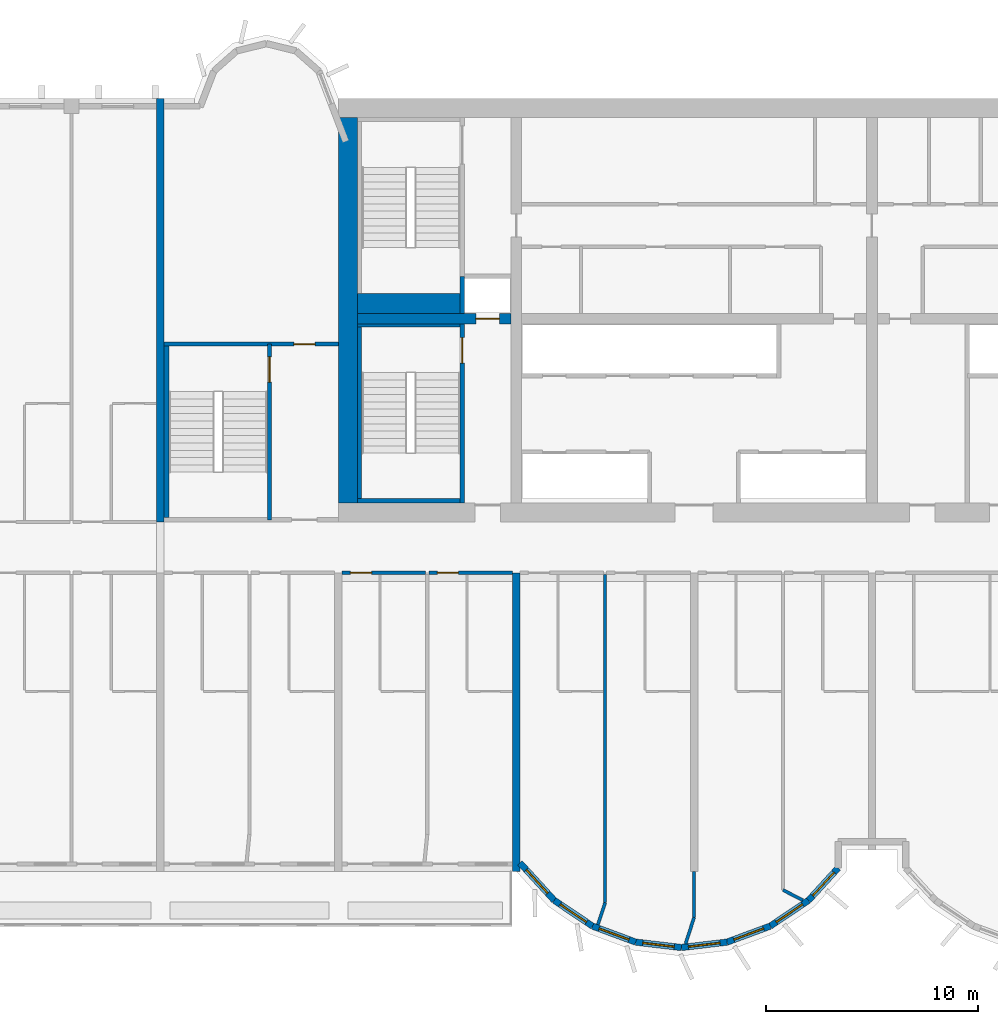
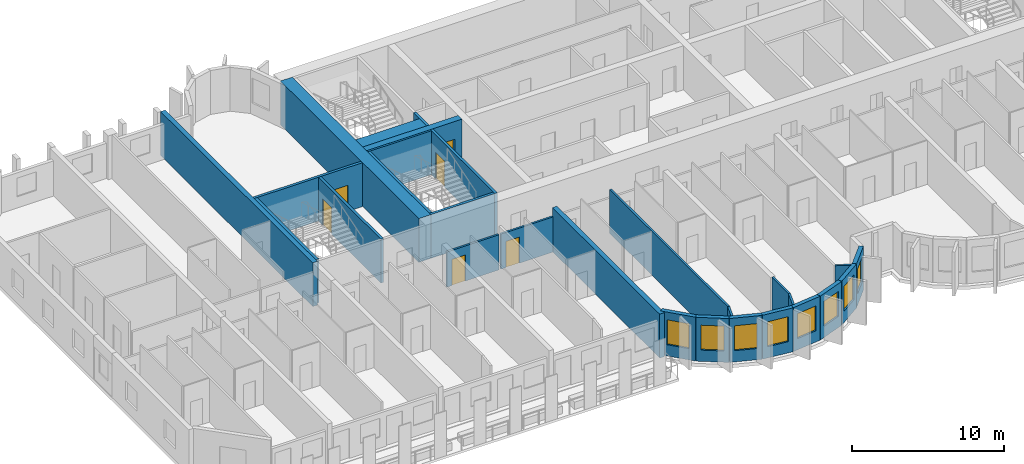
# One storey, part 4 of 15: 28 walls, 8 windows, 6 doors, 14 openings.
"""IFC4 building model written with IfcOpenShell, lengths in metres."""

from ifc_helpers import new_model, si_unit, direction, frame, frame_2d, origin, place, context, subcontext, project, spatial, rectangle, extrude, source, transform, mapped, material, layer, layer_set, type_object, element, fill, save


model = new_model("IFC4")

# Units and contexts
model_context = context("Model", 3, precision=1e-05, world=origin(), true_north=direction((0.0, 1.0)))
body_context = subcontext(model_context, "Body", "Model", "MODEL_VIEW")
ifc_project = project(units=[si_unit("LENGTHUNIT", "METRE"), si_unit("AREAUNIT", "SQUARE_METRE"), si_unit("VOLUMEUNIT", "CUBIC_METRE"), si_unit("PLANEANGLEUNIT", "RADIAN"), si_unit("MASSUNIT", "GRAM", prefix="KILO")], contexts=[model_context])

# Site, building, storey
site_placement = place(None, origin())
site = spatial("IfcSite", under=ifc_project, at=site_placement, CompositionType="ELEMENT")
building_placement = place(site_placement, origin())
building = spatial("IfcBuilding", under=site, at=building_placement, Name="Vanashikhar Sky Hotel", CompositionType="ELEMENT")
storey_placement = place(building_placement, frame((0.0, 0.0, 110.39990234375)))
storey = spatial("IfcBuildingStorey", under=building, at=storey_placement, Name="L26", CompositionType="ELEMENT", Elevation=110.39990234375)

# Wall
ifc_material_1 = material(Name="Concrete M70", Category="concrete")
ifc_layer_1 = layer(ifc_material_1, 0.89990234375)
ifc_layer_set_1 = layer_set([ifc_layer_1], Name="RC core shell wall 900 Concrete M70")
wall_type_1 = type_object("IfcWallType", Name="RC core shell wall 900 Concrete M70", PredefinedType="SHEAR", material=ifc_layer_set_1)
shared_shape_1 = source(origin(), body_context, "Body", "SweptSolid", [
    extrude(rectangle(XDim=18.2001953125, YDim=0.89990234375, at=frame_2d((9.10009765625, 0.0))), origin(), (0.0, 0.0, 1.0), 3.52001953125),
])
wall_1_placement = place(storey_placement, frame((25.64990234375, 22.89990234375, 0.0), z_axis=(0.0, 0.0, 1.0), x_axis=(0.0, 1.0, 0.0)))
element("IfcWall", 1, at=wall_1_placement, inside=storey, type_object=wall_type_1, Name="KW-L26-KW", PredefinedType="SHEAR", context=body_context, shape_type="MappedRepresentation", body=[
    mapped(shared_shape_1, transform((0.0, 0.0, 0.0), scale=1.0)),
])

# Wall, opening, door
ifc_layer_2 = layer(ifc_material_1, 0.5)
ifc_layer_set_2 = layer_set([ifc_layer_2], Name="RC core inner wall 500 Concrete M70")
wall_type_2 = type_object("IfcWallType", Name="RC core inner wall 500 Concrete M70", PredefinedType="SHEAR", material=ifc_layer_set_2)
shared_shape_2 = source(origin(), body_context, "Body", "SweptSolid", [
    extrude(rectangle(XDim=7.25, YDim=0.5, at=frame_2d((3.625, 0.0))), origin(), (0.0, 0.0, 1.0), 3.52001953125),
])
wall_2_placement = place(storey_placement, frame((26.10009765625, 31.60009765625, 0.0), z_axis=(0.0, 0.0, 1.0), x_axis=(1.0, 0.0, 0.0)))
wall_2 = element("IfcWall", 2, at=wall_2_placement, inside=storey, type_object=wall_type_2, Name="KW-L26-KY1", PredefinedType="SHEAR", context=body_context, shape_type="MappedRepresentation", body=[
    mapped(shared_shape_2, transform((0.0, 0.0, 0.0), scale=1.0)),
])
shared_shape_3 = source(origin(), body_context, "Body", "SweptSolid", [
    extrude(rectangle(XDim=1.10009765625, YDim=2.10009765625, at=frame_2d((0.550048828125, 1.050048828125))), frame((0.0, 0.260009765625, 0.0), z_axis=(0.0, -1.0, 0.0), x_axis=(1.0, 0.0, 0.0)), (0.0, 0.0, 1.0), 0.52001953125),
])
opening_1_placement = place(wall_2_placement, frame((5.60009765625, 0.0, 0.0)))
opening_1 = element("IfcOpeningElement", 3, at=opening_1_placement, cuts=wall_2, Name="Opening LD", PredefinedType="OPENING", context=body_context, shape_type="MappedRepresentation", body=[
    mapped(shared_shape_3, transform((0.0, 0.0, 0.0), scale=1.0)),
])
ifc_material_2 = material(Name="Stainless steel", Category="steel")
door_type_1 = type_object("IfcDoorType", Name="Lift landing door 1100", OperationType="NOTDEFINED", PredefinedType="DOOR", material=ifc_material_2)
shared_shape_4 = source(origin(), body_context, "Body", "SweptSolid", [
    extrude(rectangle(XDim=1.10009765625, YDim=2.10009765625, at=frame_2d((0.550048828125, 1.050048828125))), frame((0.0, 0.02490234375, 0.0), z_axis=(0.0, -1.0, 0.0), x_axis=(1.0, 0.0, 0.0)), (0.0, 0.0, 1.0), 0.050048828125),
])
door_1_placement = place(opening_1_placement, origin())
door_1 = element("IfcDoor", 4, at=door_1_placement, inside=storey, type_object=door_type_1, Name="Lift landing door 1100", OperationType="SLIDING_TO_RIGHT", OverallHeight=2.10009765625, OverallWidth=1.10009765625, PredefinedType="DOOR", context=body_context, shape_type="MappedRepresentation", body=[
    mapped(shared_shape_4, transform((0.0, 0.0, 0.0), scale=1.0)),
])
fill(opening_1, door_1)

# Walls
ifc_layer_3 = layer(ifc_material_1, 0.35009765625)
ifc_layer_set_3 = layer_set([ifc_layer_3], Name="RC shear wall 350 Concrete M70")
wall_type_3 = type_object("IfcWallType", Name="RC shear wall 350 Concrete M70", PredefinedType="SHEAR", material=ifc_layer_set_3)
shared_shape_5 = source(origin(), body_context, "Body", "SweptSolid", [
    extrude(rectangle(XDim=14.10009765625, YDim=0.35009765625, at=frame_2d((7.050048828125, 0.0))), origin(), (0.0, 0.0, 1.0), 3.52001953125),
])
wall_3_placement = place(storey_placement, frame((33.60009765625, 5.5, 0.0), z_axis=(0.0, 0.0, 1.0), x_axis=(0.0, 1.0, 0.0)))
element("IfcWall", 5, at=wall_3_placement, inside=storey, type_object=wall_type_3, Name="CW-L26-XW05-1", PredefinedType="SHEAR", context=body_context, shape_type="MappedRepresentation", body=[
    mapped(shared_shape_5, transform((0.0, 0.0, 0.0), scale=1.0)),
])
shared_shape_6 = source(origin(), body_context, "Body", "SweptSolid", [
    extrude(rectangle(XDim=20.0, YDim=0.35009765625, at=frame_2d((10.0, 0.0))), origin(), (0.0, 0.0, 1.0), 3.52001953125),
])
wall_4_placement = place(storey_placement, frame((16.800048828125, 22.0, 0.0), z_axis=(0.0, 0.0, 1.0), x_axis=(0.0, 1.0, 0.0)))
element("IfcWall", 6, at=wall_4_placement, inside=storey, type_object=wall_type_3, Name="CW-L26-XW03-2", PredefinedType="SHEAR", context=body_context, shape_type="MappedRepresentation", body=[
    mapped(shared_shape_6, transform((0.0, 0.0, 0.0), scale=1.0)),
])

# Wall, opening, window
ifc_material_3 = material(Name="Concrete M50", Category="concrete")
ifc_layer_4 = layer(ifc_material_3, 0.300048828125)
ifc_layer_set_4 = layer_set([ifc_layer_4], Name="Lobe wall 300")
wall_type_4 = type_object("IfcWallType", Name="Lobe wall 300", PredefinedType="SOLIDWALL", material=ifc_layer_set_4)
shared_shape_7 = source(origin(), body_context, "Body", "SweptSolid", [
    extrude(rectangle(XDim=2.398193359375, YDim=0.300048828125, at=frame_2d((1.19921875, 0.0))), origin(), (0.0, 0.0, 1.0), 3.52001953125),
])
wall_5_placement = place(storey_placement, frame((33.776123046875, 5.89990234375, 0.0), z_axis=(0.0, 0.0, 1.0), x_axis=(0.675374189419, -0.737475222815, 0.0)))
wall_5 = element("IfcWall", 7, at=wall_5_placement, inside=storey, type_object=wall_type_4, Name="Lobe wall", PredefinedType="SOLIDWALL", context=body_context, shape_type="MappedRepresentation", body=[
    mapped(shared_shape_7, transform((0.0, 0.0, 0.0), scale=1.0)),
])
shared_shape_8 = source(origin(), body_context, "Body", "SweptSolid", [
    extrude(rectangle(XDim=1.5, YDim=2.0, at=frame_2d((0.75, 1.0))), frame((0.0, 0.16015625, 0.0), z_axis=(0.0, -1.0, 0.0), x_axis=(1.0, 0.0, 0.0)), (0.0, 0.0, 1.0), 0.320068359375),
])
opening_2_placement = place(wall_5_placement, frame((0.44921875, 0.0, 0.89990234375)))
opening_2 = element("IfcOpeningElement", 8, at=opening_2_placement, cuts=wall_5, Name="Opening WN-2", PredefinedType="OPENING", context=body_context, shape_type="MappedRepresentation", body=[
    mapped(shared_shape_8, transform((0.0, 0.0, 0.0), scale=1.0)),
])
ifc_material_4 = material(Name="Glass", Category="glass")
window_type = type_object("IfcWindowType", Name="Lobe window 1500 x 2000", PartitioningType="SINGLE_PANEL", PredefinedType="WINDOW", material=ifc_material_4)
shared_shape_9 = source(origin(), body_context, "Body", "SweptSolid", [
    extrude(rectangle(XDim=1.5, YDim=2.0, at=frame_2d((0.75, 1.0))), frame((0.0, 0.030029296875, 0.0), z_axis=(0.0, -1.0, 0.0), x_axis=(1.0, 0.0, 0.0)), (0.0, 0.0, 1.0), 0.06005859375),
])
window_1_placement = place(opening_2_placement, origin())
window_1 = element("IfcWindow", 9, at=window_1_placement, inside=storey, type_object=window_type, Name="Window WN-2", OverallHeight=2.0, OverallWidth=1.5, PartitioningType="SINGLE_PANEL", PredefinedType="WINDOW", context=body_context, shape_type="MappedRepresentation", body=[
    mapped(shared_shape_9, transform((0.0, 0.0, 0.0), scale=1.0)),
])
fill(opening_2, window_1)

shared_shape_10 = source(origin(), body_context, "Body", "SweptSolid", [
    extrude(rectangle(XDim=2.17578125, YDim=0.300048828125, at=frame_2d((1.087890625, 0.0))), origin(), (0.0, 0.0, 1.0), 3.52001953125),
])
wall_6_placement = place(storey_placement, frame((35.395751953125, 4.13134765625, 0.0), z_axis=(0.0, 0.0, 1.0), x_axis=(0.829590746428, -0.558371913192, 0.0)))
wall_6 = element("IfcWall", 10, at=wall_6_placement, inside=storey, type_object=wall_type_4, Name="Lobe wall", PredefinedType="SOLIDWALL", context=body_context, shape_type="MappedRepresentation", body=[
    mapped(shared_shape_10, transform((0.0, 0.0, 0.0), scale=1.0)),
])
opening_3_placement = place(wall_6_placement, frame((0.337890625, 0.0, 0.89990234375)))
opening_3 = element("IfcOpeningElement", 11, at=opening_3_placement, cuts=wall_6, Name="Opening WN-2", PredefinedType="OPENING", context=body_context, shape_type="MappedRepresentation", body=[
    mapped(shared_shape_8, transform((0.0, 0.0, 0.0), scale=1.0)),
])
window_2_placement = place(opening_3_placement, origin())
window_2 = element("IfcWindow", 12, at=window_2_placement, inside=storey, type_object=window_type, Name="Window WN-2", OverallHeight=2.0, OverallWidth=1.5, PartitioningType="SINGLE_PANEL", PredefinedType="WINDOW", context=body_context, shape_type="MappedRepresentation", body=[
    mapped(shared_shape_9, transform((0.0, 0.0, 0.0), scale=1.0)),
])
fill(opening_3, window_2)

wall_7_placement = place(storey_placement, frame((37.20068359375, 2.91650390625, 0.0), z_axis=(0.0, 0.0, 1.0), x_axis=(0.93754555999, -0.347862505801, 0.0)))
wall_7 = element("IfcWall", 13, at=wall_7_placement, inside=storey, type_object=wall_type_4, Name="Lobe wall", PredefinedType="SOLIDWALL", context=body_context, shape_type="MappedRepresentation", body=[
    mapped(shared_shape_10, transform((0.0, 0.0, 0.0), scale=1.0)),
])
opening_4_placement = place(wall_7_placement, frame((0.337890625, 0.0, 0.89990234375)))
opening_4 = element("IfcOpeningElement", 14, at=opening_4_placement, cuts=wall_7, Name="Opening WN-2", PredefinedType="OPENING", context=body_context, shape_type="MappedRepresentation", body=[
    mapped(shared_shape_8, transform((0.0, 0.0, 0.0), scale=1.0)),
])
window_3_placement = place(opening_4_placement, origin())
window_3 = element("IfcWindow", 15, at=window_3_placement, inside=storey, type_object=window_type, Name="Window WN-2", OverallHeight=2.0, OverallWidth=1.5, PartitioningType="SINGLE_PANEL", PredefinedType="WINDOW", context=body_context, shape_type="MappedRepresentation", body=[
    mapped(shared_shape_9, transform((0.0, 0.0, 0.0), scale=1.0)),
])
fill(opening_4, window_3)

wall_8_placement = place(storey_placement, frame((45.59912109375, 2.91650390625, 0.0), z_axis=(0.0, 0.0, 1.0), x_axis=(0.829625727223, 0.558319937607, 0.0)))
wall_8 = element("IfcWall", 16, at=wall_8_placement, inside=storey, type_object=wall_type_4, Name="Lobe wall", PredefinedType="SOLIDWALL", context=body_context, shape_type="MappedRepresentation", body=[
    mapped(shared_shape_10, transform((0.0, 0.0, 0.0), scale=1.0)),
])
opening_5_placement = place(wall_8_placement, frame((0.337890625, 0.0, 0.89990234375)))
opening_5 = element("IfcOpeningElement", 17, at=opening_5_placement, cuts=wall_8, Name="Opening WN-2", PredefinedType="OPENING", context=body_context, shape_type="MappedRepresentation", body=[
    mapped(shared_shape_8, transform((0.0, 0.0, 0.0), scale=1.0)),
])
window_4_placement = place(opening_5_placement, origin())
window_4 = element("IfcWindow", 18, at=window_4_placement, inside=storey, type_object=window_type, Name="Window WN-2", OverallHeight=2.0, OverallWidth=1.5, PartitioningType="SINGLE_PANEL", PredefinedType="WINDOW", context=body_context, shape_type="MappedRepresentation", body=[
    mapped(shared_shape_9, transform((0.0, 0.0, 0.0), scale=1.0)),
])
fill(opening_5, window_4)

shared_shape_11 = source(origin(), body_context, "Body", "SweptSolid", [
    extrude(rectangle(XDim=2.174560546875, YDim=0.300048828125, at=frame_2d((1.08740234375, 0.0))), origin(), (0.0, 0.0, 1.0), 3.52001953125),
])
wall_9_placement = place(storey_placement, frame((39.240478515625, 2.15966796875, 0.0), z_axis=(0.0, 0.0, 1.0), x_axis=(0.993001132889, -0.118104826659, 0.0)))
wall_9 = element("IfcWall", 19, at=wall_9_placement, inside=storey, type_object=wall_type_4, Name="Lobe wall", PredefinedType="SOLIDWALL", context=body_context, shape_type="MappedRepresentation", body=[
    mapped(shared_shape_11, transform((0.0, 0.0, 0.0), scale=1.0)),
])
opening_6_placement = place(wall_9_placement, frame((0.33740234375, 0.0, 0.89990234375)))
opening_6 = element("IfcOpeningElement", 20, at=opening_6_placement, cuts=wall_9, Name="Opening WN-2", PredefinedType="OPENING", context=body_context, shape_type="MappedRepresentation", body=[
    mapped(shared_shape_8, transform((0.0, 0.0, 0.0), scale=1.0)),
])
window_5_placement = place(opening_6_placement, origin())
window_5 = element("IfcWindow", 21, at=window_5_placement, inside=storey, type_object=window_type, Name="Window WN-2", OverallHeight=2.0, OverallWidth=1.5, PartitioningType="SINGLE_PANEL", PredefinedType="WINDOW", context=body_context, shape_type="MappedRepresentation", body=[
    mapped(shared_shape_9, transform((0.0, 0.0, 0.0), scale=1.0)),
])
fill(opening_6, window_5)

shared_shape_12 = source(origin(), body_context, "Body", "SweptSolid", [
    extrude(rectangle(XDim=2.1748046875, YDim=0.300048828125, at=frame_2d((1.08740234375, 0.0))), origin(), (0.0, 0.0, 1.0), 3.52001953125),
])
wall_10_placement = place(storey_placement, frame((41.39990234375, 1.90283203125, 0.0), z_axis=(0.0, 0.0, 1.0), x_axis=(0.993002698611, 0.118091661648, 0.0)))
wall_10 = element("IfcWall", 22, at=wall_10_placement, inside=storey, type_object=wall_type_4, Name="Lobe wall", PredefinedType="SOLIDWALL", context=body_context, shape_type="MappedRepresentation", body=[
    mapped(shared_shape_12, transform((0.0, 0.0, 0.0), scale=1.0)),
])
opening_7_placement = place(wall_10_placement, frame((0.33740234375, 0.0, 0.89990234375)))
opening_7 = element("IfcOpeningElement", 23, at=opening_7_placement, cuts=wall_10, Name="Opening WN-2", PredefinedType="OPENING", context=body_context, shape_type="MappedRepresentation", body=[
    mapped(shared_shape_8, transform((0.0, 0.0, 0.0), scale=1.0)),
])
window_6_placement = place(opening_7_placement, origin())
window_6 = element("IfcWindow", 24, at=window_6_placement, inside=storey, type_object=window_type, Name="Window WN-2", OverallHeight=2.0, OverallWidth=1.5, PartitioningType="SINGLE_PANEL", PredefinedType="WINDOW", context=body_context, shape_type="MappedRepresentation", body=[
    mapped(shared_shape_9, transform((0.0, 0.0, 0.0), scale=1.0)),
])
fill(opening_7, window_6)

shared_shape_13 = source(origin(), body_context, "Body", "SweptSolid", [
    extrude(rectangle(XDim=2.175537109375, YDim=0.300048828125, at=frame_2d((1.087890625, 0.0))), origin(), (0.0, 0.0, 1.0), 3.52001953125),
])
wall_11_placement = place(storey_placement, frame((43.5595703125, 2.15966796875, 0.0), z_axis=(0.0, 0.0, 1.0), x_axis=(0.937531979054, 0.347899106424, 0.0)))
wall_11 = element("IfcWall", 25, at=wall_11_placement, inside=storey, type_object=wall_type_4, Name="Lobe wall", PredefinedType="SOLIDWALL", context=body_context, shape_type="MappedRepresentation", body=[
    mapped(shared_shape_13, transform((0.0, 0.0, 0.0), scale=1.0)),
])
opening_8_placement = place(wall_11_placement, frame((0.337890625, 0.0, 0.89990234375)))
opening_8 = element("IfcOpeningElement", 26, at=opening_8_placement, cuts=wall_11, Name="Opening WN-2", PredefinedType="OPENING", context=body_context, shape_type="MappedRepresentation", body=[
    mapped(shared_shape_8, transform((0.0, 0.0, 0.0), scale=1.0)),
])
window_7_placement = place(opening_8_placement, origin())
window_7 = element("IfcWindow", 27, at=window_7_placement, inside=storey, type_object=window_type, Name="Window WN-2", OverallHeight=2.0, OverallWidth=1.5, PartitioningType="SINGLE_PANEL", PredefinedType="WINDOW", context=body_context, shape_type="MappedRepresentation", body=[
    mapped(shared_shape_9, transform((0.0, 0.0, 0.0), scale=1.0)),
])
fill(opening_8, window_7)

shared_shape_14 = source(origin(), body_context, "Body", "SweptSolid", [
    extrude(rectangle(XDim=2.066650390625, YDim=0.300048828125, at=frame_2d((1.033203125, 0.0))), origin(), (0.0, 0.0, 1.0), 3.52001953125),
])
wall_12_placement = place(storey_placement, frame((47.404296875, 4.13134765625, 0.0), z_axis=(0.0, 0.0, 1.0), x_axis=(0.675355439877, 0.737492393065, 0.0)))
wall_12 = element("IfcWall", 28, at=wall_12_placement, inside=storey, type_object=wall_type_4, Name="Lobe wall", PredefinedType="SOLIDWALL", context=body_context, shape_type="MappedRepresentation", body=[
    mapped(shared_shape_14, transform((0.0, 0.0, 0.0), scale=1.0)),
])
opening_9_placement = place(wall_12_placement, frame((0.283447265625, 0.0, 0.89990234375)))
opening_9 = element("IfcOpeningElement", 29, at=opening_9_placement, cuts=wall_12, Name="Opening WN-2", PredefinedType="OPENING", context=body_context, shape_type="MappedRepresentation", body=[
    mapped(shared_shape_8, transform((0.0, 0.0, 0.0), scale=1.0)),
])
window_8_placement = place(opening_9_placement, origin())
window_8 = element("IfcWindow", 30, at=window_8_placement, inside=storey, type_object=window_type, Name="Window WN-2", OverallHeight=2.0, OverallWidth=1.5, PartitioningType="SINGLE_PANEL", PredefinedType="WINDOW", context=body_context, shape_type="MappedRepresentation", body=[
    mapped(shared_shape_9, transform((0.0, 0.0, 0.0), scale=1.0)),
])
fill(opening_9, window_8)

# Wall, opening, door
ifc_layer_5 = layer(ifc_material_3, 0.199951171875)
ifc_layer_set_5 = layer_set([ifc_layer_5], Name="Stair wall 200")
wall_type_5 = type_object("IfcWallType", Name="Stair wall 200", PredefinedType="SOLIDWALL", material=ifc_layer_set_5)
shared_shape_15 = source(origin(), body_context, "Body", "SweptSolid", [
    extrude(rectangle(XDim=8.2998046875, YDim=0.199951171875, at=frame_2d((4.14990234375, 0.0))), origin(), (0.0, 0.0, 1.0), 3.52001953125),
])
wall_13_placement = place(storey_placement, frame((21.949951171875, 22.10009765625, 0.0), z_axis=(0.0, 0.0, 1.0), x_axis=(0.0, 1.0, 0.0)))
wall_13 = element("IfcWall", 31, at=wall_13_placement, inside=storey, type_object=wall_type_5, Name="Stair wall 200", PredefinedType="SOLIDWALL", context=body_context, shape_type="MappedRepresentation", body=[
    mapped(shared_shape_15, transform((0.0, 0.0, 0.0), scale=1.0)),
])
shared_shape_16 = source(origin(), body_context, "Body", "SweptSolid", [
    extrude(rectangle(XDim=1.199951171875, YDim=2.10009765625, at=frame_2d((0.60009765625, 1.050048828125))), frame((0.0, 0.10986328125, 0.0), z_axis=(0.0, -1.0, 0.0), x_axis=(1.0, 0.0, 0.0)), (0.0, 0.0, 1.0), 0.219970703125),
])
opening_10_placement = place(wall_13_placement, frame((6.5, 0.0, 0.0)))
opening_10 = element("IfcOpeningElement", 32, at=opening_10_placement, cuts=wall_13, Name="Opening DC-1", PredefinedType="OPENING", context=body_context, shape_type="MappedRepresentation", body=[
    mapped(shared_shape_16, transform((0.0, 0.0, 0.0), scale=1.0)),
])
ifc_material_5 = material(Name="Steel", Category="steel")
door_type_2 = type_object("IfcDoorType", Name="Stair door 1200 FD120", OperationType="NOTDEFINED", PredefinedType="DOOR", material=ifc_material_5)
shared_shape_17 = source(origin(), body_context, "Body", "SweptSolid", [
    extrude(rectangle(XDim=1.199951171875, YDim=2.10009765625, at=frame_2d((0.60009765625, 1.050048828125))), frame((0.0, 0.02490234375, 0.0), z_axis=(0.0, -1.0, 0.0), x_axis=(1.0, 0.0, 0.0)), (0.0, 0.0, 1.0), 0.050048828125),
])
door_2_placement = place(opening_10_placement, origin())
door_2 = element("IfcDoor", 33, at=door_2_placement, inside=storey, type_object=door_type_2, Name="Stair door 1200 FD120", OperationType="SINGLE_SWING_LEFT", OverallHeight=2.10009765625, OverallWidth=1.199951171875, PredefinedType="DOOR", context=body_context, shape_type="MappedRepresentation", body=[
    mapped(shared_shape_17, transform((0.0, 0.0, 0.0), scale=1.0)),
])
fill(opening_10, door_2)

shared_shape_18 = source(origin(), body_context, "Body", "SweptSolid", [
    extrude(rectangle(XDim=8.4501953125, YDim=0.199951171875, at=frame_2d((4.22509765625, 0.0))), origin(), (0.0, 0.0, 1.0), 3.52001953125),
])
wall_14_placement = place(storey_placement, frame((31.050048828125, 22.89990234375, 0.0), z_axis=(0.0, 0.0, 1.0), x_axis=(0.0, 1.0, 0.0)))
wall_14 = element("IfcWall", 34, at=wall_14_placement, inside=storey, type_object=wall_type_5, Name="Stair wall 200", PredefinedType="SOLIDWALL", context=body_context, shape_type="MappedRepresentation", body=[
    mapped(shared_shape_18, transform((0.0, 0.0, 0.0), scale=1.0)),
])
opening_11_placement = place(wall_14_placement, frame((6.60009765625, 0.0, 0.0)))
opening_11 = element("IfcOpeningElement", 35, at=opening_11_placement, cuts=wall_14, Name="Opening DC-1", PredefinedType="OPENING", context=body_context, shape_type="MappedRepresentation", body=[
    mapped(shared_shape_16, transform((0.0, 0.0, 0.0), scale=1.0)),
])
door_3_placement = place(opening_11_placement, origin())
door_3 = element("IfcDoor", 36, at=door_3_placement, inside=storey, type_object=door_type_2, Name="Stair door 1200 FD120", OperationType="SINGLE_SWING_LEFT", OverallHeight=2.10009765625, OverallWidth=1.199951171875, PredefinedType="DOOR", context=body_context, shape_type="MappedRepresentation", body=[
    mapped(shared_shape_17, transform((0.0, 0.0, 0.0), scale=1.0)),
])
fill(opening_11, door_3)

# Wall
ifc_material_6 = material(Name="Concrete M40", Category="concrete")
ifc_layer_6 = layer(ifc_material_6, 0.199951171875)
ifc_layer_set_6 = layer_set([ifc_layer_6], Name="Shaft wall 200")
wall_type_6 = type_object("IfcWallType", Name="Shaft wall 200", PredefinedType="SOLIDWALL", material=ifc_layer_set_6)
shared_shape_19 = source(origin(), body_context, "Body", "SweptSolid", [
    extrude(rectangle(XDim=1.75, YDim=0.199951171875, at=frame_2d((0.875, 0.0))), origin(), (0.0, 0.0, 1.0), 3.52001953125),
])
wall_15_placement = place(storey_placement, frame((31.050048828125, 31.85009765625, 0.0), z_axis=(0.0, 0.0, 1.0), x_axis=(0.0, 1.0, 0.0)))
element("IfcWall", 37, at=wall_15_placement, inside=storey, type_object=wall_type_6, Name="Shaft wall 200", PredefinedType="SOLIDWALL", context=body_context, shape_type="MappedRepresentation", body=[
    mapped(shared_shape_19, transform((0.0, 0.0, 0.0), scale=1.0)),
])

# Wall, opening, door
shared_shape_20 = source(origin(), body_context, "Body", "SweptSolid", [
    extrude(rectangle(XDim=8.224853515625, YDim=0.199951171875, at=frame_2d((4.1123046875, 0.0))), origin(), (0.0, 0.0, 1.0), 3.52001953125),
])
wall_16_placement = place(storey_placement, frame((16.97509765625, 30.39990234375, 0.0), z_axis=(0.0, 0.0, 1.0), x_axis=(1.0, 0.0, 0.0)))
wall_16 = element("IfcWall", 38, at=wall_16_placement, inside=storey, type_object=wall_type_5, Name="Stair wall 200", PredefinedType="SOLIDWALL", context=body_context, shape_type="MappedRepresentation", body=[
    mapped(shared_shape_20, transform((0.0, 0.0, 0.0), scale=1.0)),
])
shared_shape_21 = source(origin(), body_context, "Body", "SweptSolid", [
    extrude(rectangle(XDim=1.0, YDim=2.10009765625, at=frame_2d((0.5, 1.050048828125))), frame((0.0, 0.10986328125, 0.0), z_axis=(0.0, -1.0, 0.0), x_axis=(1.0, 0.0, 0.0)), (0.0, 0.0, 1.0), 0.219970703125),
])
opening_12_placement = place(wall_16_placement, frame((6.125, 0.0, 0.0)))
opening_12 = element("IfcOpeningElement", 39, at=opening_12_placement, cuts=wall_16, Name="Opening DC-6", PredefinedType="OPENING", context=body_context, shape_type="MappedRepresentation", body=[
    mapped(shared_shape_21, transform((0.0, 0.0, 0.0), scale=1.0)),
])
door_type_3 = type_object("IfcDoorType", Name="Pocket door 1000 FD60", OperationType="NOTDEFINED", PredefinedType="DOOR", material=ifc_material_5)
shared_shape_22 = source(origin(), body_context, "Body", "SweptSolid", [
    extrude(rectangle(XDim=1.0, YDim=2.10009765625, at=frame_2d((0.5, 1.050048828125))), frame((0.0, 0.02490234375, 0.0), z_axis=(0.0, -1.0, 0.0), x_axis=(1.0, 0.0, 0.0)), (0.0, 0.0, 1.0), 0.050048828125),
])
door_4_placement = place(opening_12_placement, origin())
door_4 = element("IfcDoor", 40, at=door_4_placement, inside=storey, type_object=door_type_3, Name="Pocket door 1000 FD60", OperationType="SINGLE_SWING_LEFT", OverallHeight=2.10009765625, OverallWidth=1.0, PredefinedType="DOOR", context=body_context, shape_type="MappedRepresentation", body=[
    mapped(shared_shape_22, transform((0.0, 0.0, 0.0), scale=1.0)),
])
fill(opening_12, door_4)

# Walls
ifc_layer_7 = layer(ifc_material_3, 0.199951171875)
ifc_layer_set_7 = layer_set([ifc_layer_7], Name="Stair infill wall 200")
wall_type_7 = type_object("IfcWallType", Name="Stair infill wall 200", PredefinedType="SOLIDWALL", material=ifc_layer_set_7)
shared_shape_23 = source(origin(), body_context, "Body", "SweptSolid", [
    extrude(rectangle(XDim=4.849853515625, YDim=0.199951171875, at=frame_2d((2.4248046875, 0.0))), origin(), (0.0, 0.0, 1.0), 3.52001953125),
])
wall_17_placement = place(storey_placement, frame((26.10009765625, 23.0, 0.0), z_axis=(0.0, 0.0, 1.0), x_axis=(1.0, 0.0, 0.0)))
element("IfcWall", 41, at=wall_17_placement, inside=storey, type_object=wall_type_7, Name="Stair infill wall 200", PredefinedType="SOLIDWALL", context=body_context, shape_type="MappedRepresentation", body=[
    mapped(shared_shape_23, transform((0.0, 0.0, 0.0), scale=1.0)),
])
ifc_layer_8 = layer(ifc_material_3, 0.14990234375)
ifc_layer_set_8 = layer_set([ifc_layer_8], Name="Stair infill wall 150")
wall_type_8 = type_object("IfcWallType", Name="Stair infill wall 150", PredefinedType="SOLIDWALL", material=ifc_layer_set_8)
shared_shape_24 = source(origin(), body_context, "Body", "SweptSolid", [
    extrude(rectangle(XDim=4.849853515625, YDim=0.14990234375, at=frame_2d((2.4248046875, 0.0))), origin(), (0.0, 0.0, 1.0), 3.52001953125),
])
wall_18_placement = place(storey_placement, frame((26.10009765625, 31.27490234375, 0.0), z_axis=(0.0, 0.0, 1.0), x_axis=(1.0, 0.0, 0.0)))
element("IfcWall", 42, at=wall_18_placement, inside=storey, type_object=wall_type_8, Name="Stair infill wall 150", PredefinedType="SOLIDWALL", context=body_context, shape_type="MappedRepresentation", body=[
    mapped(shared_shape_24, transform((0.0, 0.0, 0.0), scale=1.0)),
])
shared_shape_25 = source(origin(), body_context, "Body", "SweptSolid", [
    extrude(rectangle(XDim=8.099853515625, YDim=0.199951171875, at=frame_2d((4.0498046875, 0.0))), origin(), (0.0, 0.0, 1.0), 3.52001953125),
])
wall_19_placement = place(storey_placement, frame((26.199951171875, 23.10009765625, 0.0), z_axis=(0.0, 0.0, 1.0), x_axis=(0.0, 1.0, 0.0)))
element("IfcWall", 43, at=wall_19_placement, inside=storey, type_object=wall_type_7, Name="Stair infill wall 200", PredefinedType="SOLIDWALL", context=body_context, shape_type="MappedRepresentation", body=[
    mapped(shared_shape_25, transform((0.0, 0.0, 0.0), scale=1.0)),
])
ifc_layer_9 = layer(ifc_material_3, 0.22509765625)
ifc_layer_set_9 = layer_set([ifc_layer_9], Name="Stair infill wall 225")
wall_type_9 = type_object("IfcWallType", Name="Stair infill wall 225", PredefinedType="SOLIDWALL", material=ifc_layer_set_9)
shared_shape_26 = source(origin(), body_context, "Body", "SweptSolid", [
    extrude(rectangle(XDim=8.10009765625, YDim=0.22509765625, at=frame_2d((4.050048828125, 0.0))), origin(), (0.0, 0.0, 1.0), 3.52001953125),
])
wall_20_placement = place(storey_placement, frame((17.0869140625, 22.199951171875, 0.0), z_axis=(0.0, 0.0, 1.0), x_axis=(0.0, 1.0, 0.0)))
element("IfcWall", 44, at=wall_20_placement, inside=storey, type_object=wall_type_9, Name="Stair infill wall 225", PredefinedType="SOLIDWALL", context=body_context, shape_type="MappedRepresentation", body=[
    mapped(shared_shape_26, transform((0.0, 0.0, 0.0), scale=1.0)),
])
ifc_layer_10 = layer(ifc_material_3, 0.949951171875)
ifc_layer_set_10 = layer_set([ifc_layer_10], Name="Stair infill wall 950")
wall_type_10 = type_object("IfcWallType", Name="Stair infill wall 950", PredefinedType="SOLIDWALL", material=ifc_layer_set_10)
shared_shape_27 = source(origin(), body_context, "Body", "SweptSolid", [
    extrude(rectangle(XDim=4.849853515625, YDim=0.949951171875, at=frame_2d((2.4248046875, 0.0))), origin(), (0.0, 0.0, 1.0), 3.52001953125),
])
wall_21_placement = place(storey_placement, frame((26.10009765625, 32.324951171875, 0.0), z_axis=(0.0, 0.0, 1.0), x_axis=(1.0, 0.0, 0.0)))
element("IfcWall", 45, at=wall_21_placement, inside=storey, type_object=wall_type_10, Name="Stair infill wall 950", PredefinedType="SOLIDWALL", context=body_context, shape_type="MappedRepresentation", body=[
    mapped(shared_shape_27, transform((0.0, 0.0, 0.0), scale=1.0)),
])
ifc_material_7 = material(Name="Gypsum plasterboard partition")
ifc_layer_11 = layer(ifc_material_7, 0.14990234375)
ifc_layer_set_11 = layer_set([ifc_layer_11], Name="Corridor and demising partition 150")
wall_type_11 = type_object("IfcWallType", Name="Corridor and demising partition 150", PredefinedType="PARTITIONING", material=ifc_layer_set_11)
shared_shape_28 = source(origin(), body_context, "Body", "SweptSolid", [
    extrude(rectangle(XDim=2.177978515625, YDim=0.14990234375, at=frame_2d((1.0888671875, 0.0))), origin(), (0.0, 0.0, 1.0), 3.52001953125),
])
wall_22_placement = place(storey_placement, frame((42.0, 3.322021484375, 0.0), z_axis=(0.0, 0.0, 1.0), x_axis=(0.0, 1.0, 0.0)))
element("IfcWall", 46, at=wall_22_placement, inside=storey, type_object=wall_type_11, Name="W-L26-PW079", PredefinedType="PARTITIONING", context=body_context, shape_type="MappedRepresentation", body=[
    mapped(shared_shape_28, transform((0.0, 0.0, 0.0), scale=1.0)),
])
shared_shape_29 = source(origin(), body_context, "Body", "SweptSolid", [
    extrude(rectangle(XDim=1.100830078125, YDim=0.14990234375, at=frame_2d((0.55029296875, 0.0))), origin(), (0.0, 0.0, 1.0), 3.52001953125),
])
wall_23_placement = place(storey_placement, frame((37.45703125, 2.98095703125, 0.0), z_axis=(0.0, 0.0, 1.0), x_axis=(0.311567081539, 0.950224159712, 0.0)))
element("IfcWall", 47, at=wall_23_placement, inside=storey, type_object=wall_type_11, Name="W-L26-PW035B0", PredefinedType="PARTITIONING", context=body_context, shape_type="MappedRepresentation", body=[
    mapped(shared_shape_29, transform((0.0, 0.0, 0.0), scale=1.0)),
])
shared_shape_30 = source(origin(), body_context, "Body", "SweptSolid", [
    extrude(rectangle(XDim=1.0576171875, YDim=0.14990234375, at=frame_2d((0.52880859375, 0.0))), origin(), (0.0, 0.0, 1.0), 3.52001953125),
])
wall_24_placement = place(storey_placement, frame((47.139892578125, 4.134033203125, 0.0), z_axis=(0.0, 0.0, 1.0), x_axis=(-0.888723819054, 0.458442988218, 0.0)))
element("IfcWall", 48, at=wall_24_placement, inside=storey, type_object=wall_type_11, Name="W-L26-PW042B0", PredefinedType="PARTITIONING", context=body_context, shape_type="MappedRepresentation", body=[
    mapped(shared_shape_30, transform((0.0, 0.0, 0.0), scale=1.0)),
])
shared_shape_31 = source(origin(), body_context, "Body", "SweptSolid", [
    extrude(rectangle(XDim=1.308349609375, YDim=0.14990234375, at=frame_2d((0.654296875, 0.0))), origin(), (0.0, 0.0, 1.0), 3.52001953125),
])
wall_25_placement = place(storey_placement, frame((41.597900390625, 2.076904296875, 0.0), z_axis=(0.0, 0.0, 1.0), x_axis=(0.307313512187, 0.951608325535, 0.0)))
element("IfcWall", 49, at=wall_25_placement, inside=storey, type_object=wall_type_11, Name="W-L26-PW079B0", PredefinedType="PARTITIONING", context=body_context, shape_type="MappedRepresentation", body=[
    mapped(shared_shape_31, transform((0.0, 0.0, 0.0), scale=1.0)),
])

# Wall, opening, door
shared_shape_32 = source(origin(), body_context, "Body", "SweptSolid", [
    extrude(rectangle(XDim=3.949951171875, YDim=0.14990234375, at=frame_2d((1.97509765625, 0.0))), origin(), (0.0, 0.0, 1.0), 2.820068359375),
])
wall_26_placement = place(storey_placement, frame((25.375, 19.60009765625, 0.0), z_axis=(0.0, 0.0, 1.0), x_axis=(1.0, 0.0, 0.0)))
wall_26 = element("IfcWall", 50, at=wall_26_placement, inside=storey, type_object=wall_type_11, Name="W-L26-PW024", PredefinedType="PARTITIONING", context=body_context, shape_type="MappedRepresentation", body=[
    mapped(shared_shape_32, transform((0.0, 0.0, 0.0), scale=1.0)),
])
shared_shape_33 = source(origin(), body_context, "Body", "SweptSolid", [
    extrude(rectangle(XDim=1.0, YDim=2.10009765625, at=frame_2d((0.5, 1.050048828125))), frame((0.0, 0.0849609375, 0.0), z_axis=(0.0, -1.0, 0.0), x_axis=(1.0, 0.0, 0.0)), (0.0, 0.0, 1.0), 0.169921875),
])
opening_13_placement = place(wall_26_placement, frame((0.39990234375, 0.0, 0.0)))
opening_13 = element("IfcOpeningElement", 51, at=opening_13_placement, cuts=wall_26, Name="Opening D-01", PredefinedType="OPENING", context=body_context, shape_type="MappedRepresentation", body=[
    mapped(shared_shape_33, transform((0.0, 0.0, 0.0), scale=1.0)),
])
ifc_material_8 = material(Name="Timber fire door", Category="wood")
door_type_4 = type_object("IfcDoorType", Name="Guest entry door 1000 FD30S", OperationType="NOTDEFINED", PredefinedType="DOOR", material=ifc_material_8)
door_5_placement = place(opening_13_placement, origin())
door_5 = element("IfcDoor", 52, at=door_5_placement, inside=storey, type_object=door_type_4, Name="D-L26-014", OperationType="SINGLE_SWING_LEFT", OverallHeight=2.10009765625, OverallWidth=1.0, PredefinedType="DOOR", context=body_context, shape_type="MappedRepresentation", body=[
    mapped(shared_shape_22, transform((0.0, 0.0, 0.0), scale=1.0)),
])
fill(opening_13, door_5)

wall_27_placement = place(storey_placement, frame((29.47509765625, 19.60009765625, 0.0), z_axis=(0.0, 0.0, 1.0), x_axis=(1.0, 0.0, 0.0)))
wall_27 = element("IfcWall", 53, at=wall_27_placement, inside=storey, type_object=wall_type_11, Name="W-L26-PW027", PredefinedType="PARTITIONING", context=body_context, shape_type="MappedRepresentation", body=[
    mapped(shared_shape_32, transform((0.0, 0.0, 0.0), scale=1.0)),
])
opening_14_placement = place(wall_27_placement, frame((0.39990234375, 0.0, 0.0)))
opening_14 = element("IfcOpeningElement", 54, at=opening_14_placement, cuts=wall_27, Name="Opening D-01", PredefinedType="OPENING", context=body_context, shape_type="MappedRepresentation", body=[
    mapped(shared_shape_33, transform((0.0, 0.0, 0.0), scale=1.0)),
])
door_6_placement = place(opening_14_placement, origin())
door_6 = element("IfcDoor", 55, at=door_6_placement, inside=storey, type_object=door_type_4, Name="D-L26-016", OperationType="SINGLE_SWING_LEFT", OverallHeight=2.10009765625, OverallWidth=1.0, PredefinedType="DOOR", context=body_context, shape_type="MappedRepresentation", body=[
    mapped(shared_shape_22, transform((0.0, 0.0, 0.0), scale=1.0)),
])
fill(opening_14, door_6)

# Wall
shared_shape_34 = source(origin(), body_context, "Body", "SweptSolid", [
    extrude(rectangle(XDim=15.497802734375, YDim=0.14990234375, at=frame_2d((7.7490234375, 0.0))), origin(), (0.0, 0.0, 1.0), 3.52001953125),
])
wall_28_placement = place(storey_placement, frame((37.800048828125, 4.027099609375, 0.0), z_axis=(0.0, 0.0, 1.0), x_axis=(0.0, 1.0, 0.0)))
element("IfcWall", 56, at=wall_28_placement, inside=storey, type_object=wall_type_11, Name="W-L26-PW035", PredefinedType="PARTITIONING", context=body_context, shape_type="MappedRepresentation", body=[
    mapped(shared_shape_34, transform((0.0, 0.0, 0.0), scale=1.0)),
])

save(model, "model.ifc")
